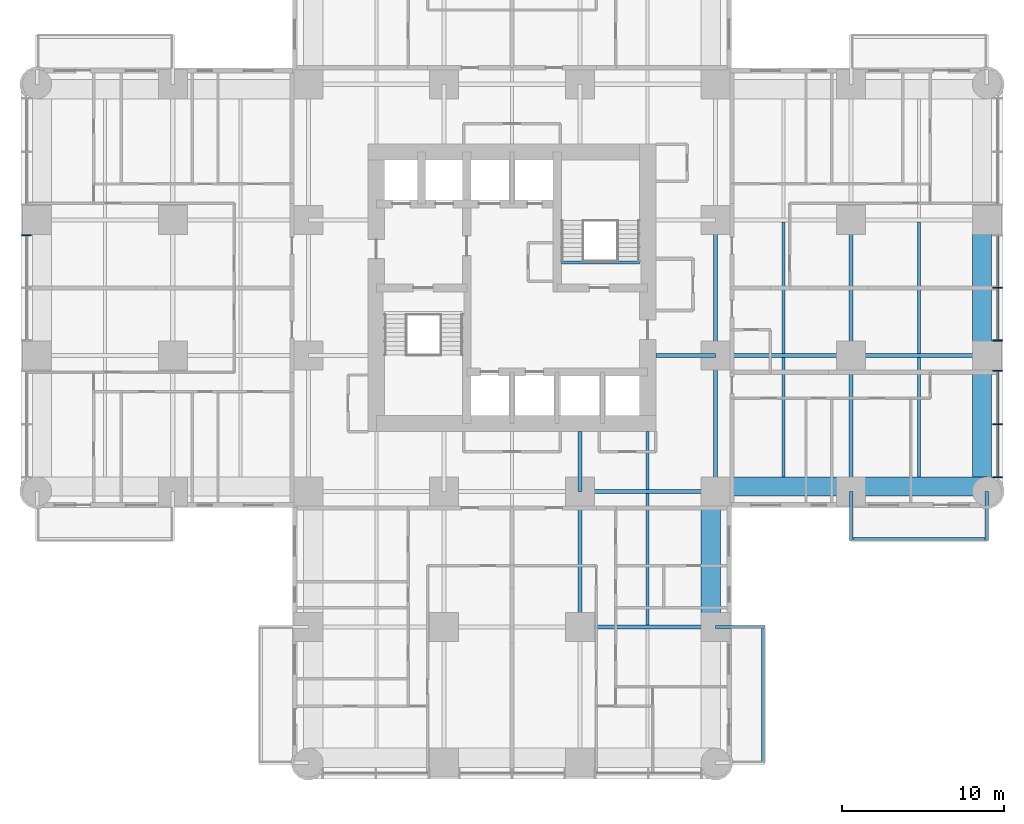
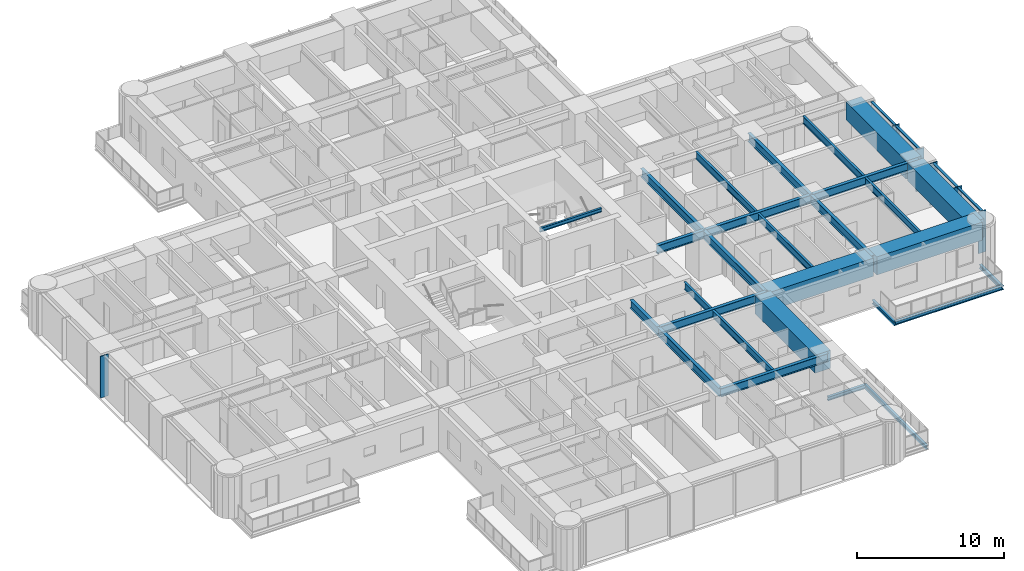
# One storey, part 3 of 17: 28 beams, 10 members, 2 elements without a shape of their own.
"""IFC4 building model written with IfcOpenShell, lengths in metres."""

from ifc_helpers import new_model, si_unit, direction, frame, origin, origin_2d, place, context, subcontext, project, spatial, rectangle, i_section, extrude, material, material_profile, profile_set, type_object, element, aggregate, save


model = new_model("IFC4")

# Units and contexts
model_context = context("Model", 3, precision=1e-05, world=origin(), true_north=direction((0.0, 1.0)))
body_context = subcontext(model_context, "Body", "Model", "MODEL_VIEW")
ifc_project = project(units=[si_unit("LENGTHUNIT", "METRE"), si_unit("AREAUNIT", "SQUARE_METRE"), si_unit("VOLUMEUNIT", "CUBIC_METRE"), si_unit("PLANEANGLEUNIT", "RADIAN"), si_unit("MASSUNIT", "GRAM", prefix="KILO")], contexts=[model_context])

# Site, building, storey
site_placement = place(None, origin())
site = spatial("IfcSite", under=ifc_project, at=site_placement, CompositionType="ELEMENT")
building_placement = place(site_placement, origin())
building = spatial("IfcBuilding", under=site, at=building_placement, Name="Torre Alcanfor", CompositionType="ELEMENT")
storey_placement = place(building_placement, frame((0.0, 0.0, 52.5)))
storey = spatial("IfcBuildingStorey", under=building, at=storey_placement, Name="L12", CompositionType="ELEMENT", Elevation=52.5)

# Beams
ifc_material_1 = material(Name="Steel ASTM A992 Grade 50", Category="steel")
ifc_material_profile_1 = material_profile(ifc_material_1, i_section(OverallWidth=0.205322265625, OverallDepth=0.309814453125, WebThickness=0.00927734375, FlangeThickness=0.016357421875, at=origin_2d()), Name="W12x50")
ifc_profile_set_1 = profile_set([ifc_material_profile_1], Name="Steel ASTM A992 Grade 50")
beam_type_1 = type_object("IfcBeamType", Name="Balcony cantilever beam W12x50", PredefinedType="BEAM", material=ifc_profile_set_1)
for number, where, z_axis, x_axis, name in (
    (1, (50.39990234375, 16.800048828125, -0.35498046875), (0.0, -1.0, 0.0), (1.0, 0.0, 0.0), "Balcony cantilever beam L12-E2 1"),
    (2, (58.800048828125, 16.800048828125, -0.35498046875), (0.0, -1.0, 0.0), (1.0, 0.0, 0.0), "Balcony cantilever beam L12-E2 2"),
    (3, (42.0, 8.39990234375, -0.35498046875), (1.0, 0.0, 0.0), (0.0, 1.0, 0.0), "Balcony cantilever beam L12-S1 1"),
):
    element("IfcBeam", number, at=place(storey_placement, frame(where, z_axis=z_axis, x_axis=x_axis)), inside=storey, type_object=beam_type_1, Name=name, PredefinedType="BEAM", context=body_context, shape_type="SweptSolid", body=[
        extrude(i_section(OverallWidth=0.205322265625, OverallDepth=0.309814453125, WebThickness=0.00927734375, FlangeThickness=0.016357421875, at=origin_2d()), origin(), (0.0, 0.0, 1.0), 3.050048828125),
    ])
ifc_material_2 = material(Name="Steel ASTM A992 Grade 50", Category="steel")
ifc_material_profile_2 = material_profile(ifc_material_2, i_section(OverallWidth=0.203369140625, OverallDepth=0.30224609375, WebThickness=0.007568359375, FlangeThickness=0.01318359375, at=origin_2d()), Name="W12x40")
ifc_profile_set_2 = profile_set([ifc_material_profile_2], Name="Steel ASTM A992 Grade 50")
beam_type_2 = type_object("IfcBeamType", Name="Balcony edge trimmer W12x40", PredefinedType="BEAM", material=ifc_profile_set_2)
beam_1_placement = place(storey_placement, frame((50.39990234375, 13.851806640625, -0.35107421875), z_axis=(1.0, 0.0, 0.0), x_axis=(0.0, 1.0, 0.0)))
element("IfcBeam", 4, at=beam_1_placement, inside=storey, type_object=beam_type_2, Name="Balcony edge trimmer L12-E2", PredefinedType="BEAM", context=body_context, shape_type="SweptSolid", body=[
    extrude(i_section(OverallWidth=0.203369140625, OverallDepth=0.30224609375, WebThickness=0.007568359375, FlangeThickness=0.01318359375, at=origin_2d()), origin(), (0.0, 0.0, 1.0), 8.400146484375),
])
beam_2_placement = place(storey_placement, frame((44.9482421875, 8.39990234375, -0.35107421875), z_axis=(0.0, -1.0, 0.0), x_axis=(1.0, 0.0, 0.0)))
element("IfcBeam", 5, at=beam_2_placement, inside=storey, type_object=beam_type_2, Name="Balcony edge trimmer L12-S1", PredefinedType="BEAM", context=body_context, shape_type="SweptSolid", body=[
    extrude(i_section(OverallWidth=0.203369140625, OverallDepth=0.30224609375, WebThickness=0.007568359375, FlangeThickness=0.01318359375, at=origin_2d()), origin(), (0.0, 0.0, 1.0), 8.39990234375),
])

# Curtain wall, member
ifc_material_3 = material(Name="Aluminium and glass", Category="aluminium")
curtain_wall_type = type_object("IfcCurtainWallType", Name="CW-A unitised apartment glazing with vertical FIN", PredefinedType="NOTDEFINED", material=ifc_material_3)
curtain_wall_1_placement = place(storey_placement, origin())
curtain_wall_1 = element("IfcCurtainWall", 6, at=curtain_wall_1_placement, inside=storey, type_object=curtain_wall_type, Name="Curtain wall CW-A L12 2", PredefinedType="NOTDEFINED")
ifc_material_4 = material(Name="Bronze anodised aluminium", Category="aluminium")
ifc_material_profile_3 = material_profile(ifc_material_4, rectangle(XDim=0.60009765625, YDim=0.06494140625, at=origin_2d()), Name="CW-A mullion 65x600")
ifc_profile_set_3 = profile_set([ifc_material_profile_3], Name="Bronze anodised aluminium")
member_type_1 = type_object("IfcMemberType", Name="CW-A mullion with vertical FIN 65x600", PredefinedType="MULLION", material=ifc_profile_set_3)
member_1_placement = place(storey_placement, frame((-0.64990234375, 32.66259765625, 0.0), z_axis=(0.0, 0.0, 1.0), x_axis=(1.0, 0.0, 0.0)))
member_1 = element("IfcMember", 7, at=member_1_placement, type_object=member_type_1, Name="CW-A mullion 2.1", PredefinedType="MULLION", context=body_context, shape_type="SweptSolid", body=[
    extrude(rectangle(XDim=0.60009765625, YDim=0.06494140625, at=origin_2d()), origin(), (0.0, 0.0, 1.0), 3.449951171875),
])
aggregate(curtain_wall_1, [member_1])

# Curtain wall, members
curtain_wall_2_placement = place(storey_placement, origin())
curtain_wall_2 = element("IfcCurtainWall", 8, at=curtain_wall_2_placement, inside=storey, type_object=curtain_wall_type, Name="Curtain wall CW-A L12 8", PredefinedType="NOTDEFINED")
member_2_placement = place(storey_placement, frame((59.449951171875, 17.6669921875, 0.0), z_axis=(0.0, 0.0, 1.0), x_axis=(-1.0, 0.0, 0.0)))
member_2 = element("IfcMember", 9, at=member_2_placement, type_object=member_type_1, Name="CW-A mullion 1.1", PredefinedType="MULLION", context=body_context, shape_type="SweptSolid", body=[
    extrude(rectangle(XDim=0.60009765625, YDim=0.06494140625, at=origin_2d()), origin(), (0.0, 0.0, 1.0), 3.449951171875),
])
member_3_placement = place(storey_placement, frame((59.449951171875, 20.96484375, 0.0), z_axis=(0.0, 0.0, 1.0), x_axis=(-1.0, 0.0, 0.0)))
member_3 = element("IfcMember", 10, at=member_3_placement, type_object=member_type_1, Name="CW-A mullion 1.2", PredefinedType="MULLION", context=body_context, shape_type="SweptSolid", body=[
    extrude(rectangle(XDim=0.60009765625, YDim=0.06494140625, at=origin_2d()), origin(), (0.0, 0.0, 1.0), 3.449951171875),
])
member_4_placement = place(storey_placement, frame((59.449951171875, 24.262451171875, 0.0), z_axis=(0.0, 0.0, 1.0), x_axis=(-1.0, 0.0, 0.0)))
member_4 = element("IfcMember", 11, at=member_4_placement, type_object=member_type_1, Name="CW-A mullion 1.3", PredefinedType="MULLION", context=body_context, shape_type="SweptSolid", body=[
    extrude(rectangle(XDim=0.60009765625, YDim=0.06494140625, at=origin_2d()), origin(), (0.0, 0.0, 1.0), 3.449951171875),
])
member_5_placement = place(storey_placement, frame((59.449951171875, 26.137451171875, 0.0), z_axis=(0.0, 0.0, 1.0), x_axis=(-1.0, 0.0, 0.0)))
member_5 = element("IfcMember", 12, at=member_5_placement, type_object=member_type_1, Name="CW-A mullion 2.1", PredefinedType="MULLION", context=body_context, shape_type="SweptSolid", body=[
    extrude(rectangle(XDim=0.60009765625, YDim=0.06494140625, at=origin_2d()), origin(), (0.0, 0.0, 1.0), 3.449951171875),
])
member_6_placement = place(storey_placement, frame((59.449951171875, 29.39990234375, 0.0), z_axis=(0.0, 0.0, 1.0), x_axis=(-1.0, 0.0, 0.0)))
member_6 = element("IfcMember", 13, at=member_6_placement, type_object=member_type_1, Name="CW-A mullion 2.2", PredefinedType="MULLION", context=body_context, shape_type="SweptSolid", body=[
    extrude(rectangle(XDim=0.60009765625, YDim=0.06494140625, at=origin_2d()), origin(), (0.0, 0.0, 1.0), 3.449951171875),
])
ifc_material_5 = material(Name="Extruded aluminium", Category="aluminium")
ifc_material_profile_4 = material_profile(ifc_material_5, rectangle(XDim=0.199951171875, YDim=0.06494140625, at=origin_2d()), Name="CW-A transom 200x65")
ifc_profile_set_4 = profile_set([ifc_material_profile_4], Name="Extruded aluminium")
member_type_2 = type_object("IfcMemberType", Name="CW-A transom 65x200", PredefinedType="USERDEFINED", material=ifc_profile_set_4)
member_7_placement = place(storey_placement, frame((59.449951171875, 17.699462890625, 3.41748046875), z_axis=(0.0, 1.0, 0.0), x_axis=(-1.0, 0.0, 0.0)))
member_7 = element("IfcMember", 14, at=member_7_placement, type_object=member_type_2, Name="CW-A transom 1.1.2", ObjectType="TRANSOM", PredefinedType="USERDEFINED", context=body_context, shape_type="SweptSolid", body=[
    extrude(rectangle(XDim=0.199951171875, YDim=0.06494140625, at=origin_2d()), origin(), (0.0, 0.0, 1.0), 3.232666015625),
])
member_8_placement = place(storey_placement, frame((59.449951171875, 20.997314453125, 3.41748046875), z_axis=(0.0, 1.0, 0.0), x_axis=(-1.0, 0.0, 0.0)))
member_8 = element("IfcMember", 15, at=member_8_placement, type_object=member_type_2, Name="CW-A transom 1.2.2", ObjectType="TRANSOM", PredefinedType="USERDEFINED", context=body_context, shape_type="SweptSolid", body=[
    extrude(rectangle(XDim=0.199951171875, YDim=0.06494140625, at=origin_2d()), origin(), (0.0, 0.0, 1.0), 3.232666015625),
])
member_9_placement = place(storey_placement, frame((59.449951171875, 26.169921875, 3.41748046875), z_axis=(0.0, 1.0, 0.0), x_axis=(-1.0, 0.0, 0.0)))
member_9 = element("IfcMember", 16, at=member_9_placement, type_object=member_type_2, Name="CW-A transom 2.1.2", ObjectType="TRANSOM", PredefinedType="USERDEFINED", context=body_context, shape_type="SweptSolid", body=[
    extrude(rectangle(XDim=0.199951171875, YDim=0.06494140625, at=origin_2d()), origin(), (0.0, 0.0, 1.0), 3.197509765625),
])
member_10_placement = place(storey_placement, frame((59.449951171875, 29.4326171875, 3.41748046875), z_axis=(0.0, 1.0, 0.0), x_axis=(-1.0, 0.0, 0.0)))
member_10 = element("IfcMember", 17, at=member_10_placement, type_object=member_type_2, Name="CW-A transom 2.2.2", ObjectType="TRANSOM", PredefinedType="USERDEFINED", context=body_context, shape_type="SweptSolid", body=[
    extrude(rectangle(XDim=0.199951171875, YDim=0.06494140625, at=origin_2d()), origin(), (0.0, 0.0, 1.0), 3.197265625),
])
aggregate(curtain_wall_2, [member_2, member_3, member_4, member_7, member_8, member_5, member_6, member_9, member_10])

# Beams
ifc_material_6 = material(Name="Steel ASTM A992 Grade 50", Category="steel")
ifc_material_profile_5 = material_profile(ifc_material_6, i_section(OverallWidth=0.25390625, OverallDepth=0.683349609375, WebThickness=0.012451171875, FlangeThickness=0.01904296875, at=origin_2d()), Name="W27x94")
ifc_profile_set_5 = profile_set([ifc_material_profile_5], Name="Steel ASTM A992 Grade 50")
beam_type_3 = type_object("IfcBeamType", Name="Girder W27x94", PredefinedType="BEAM", material=ifc_profile_set_5)
for number, where, z_axis, x_axis, name in (
    (18, (33.60009765625, 8.39990234375, 3.1083984375), (1.0, 0.0, 0.0), (0.0, 1.0, 0.0), "Beam 5D-6D under L13"),
    (19, (33.60009765625, 16.800048828125, 3.1083984375), (1.0, 0.0, 0.0), (0.0, 1.0, 0.0), "Beam 5E-6E under L13"),
    (20, (42.0, 25.199951171875, 3.1083984375), (1.0, 0.0, 0.0), (0.0, 1.0, 0.0), "Beam 6F-7F under L13"),
):
    element("IfcBeam", number, at=place(storey_placement, frame(where, z_axis=z_axis, x_axis=x_axis)), inside=storey, type_object=beam_type_3, Name=name, PredefinedType="BEAM", context=body_context, shape_type="SweptSolid", body=[
        extrude(i_section(OverallWidth=0.25390625, OverallDepth=0.683349609375, WebThickness=0.012451171875, FlangeThickness=0.01904296875, at=origin_2d()), origin(), (0.0, 0.0, 1.0), 8.39990234375),
    ])
for number, where, z_axis, x_axis, name in (
    (21, (50.39990234375, 25.199951171875, 3.1083984375), (1.0, 0.0, 0.0), (0.0, 1.0, 0.0), "Beam 7F-8F under L13"),
    (22, (33.60009765625, 8.39990234375, 3.1083984375), (0.0, 1.0, 0.0), (-1.0, 0.0, 0.0), "Beam 5D-5E under L13"),
):
    element("IfcBeam", number, at=place(storey_placement, frame(where, z_axis=z_axis, x_axis=x_axis)), inside=storey, type_object=beam_type_3, Name=name, PredefinedType="BEAM", context=body_context, shape_type="SweptSolid", body=[
        extrude(i_section(OverallWidth=0.25390625, OverallDepth=0.683349609375, WebThickness=0.012451171875, FlangeThickness=0.01904296875, at=origin_2d()), origin(), (0.0, 0.0, 1.0), 8.400146484375),
    ])
beam_3_placement = place(storey_placement, frame((42.0, 16.800048828125, 3.1083984375), z_axis=(0.0, 1.0, 0.0), x_axis=(-1.0, 0.0, 0.0)))
element("IfcBeam", 23, at=beam_3_placement, inside=storey, type_object=beam_type_3, Name="Beam 6E-6F under L13", PredefinedType="BEAM", context=body_context, shape_type="SweptSolid", body=[
    extrude(i_section(OverallWidth=0.25390625, OverallDepth=0.683349609375, WebThickness=0.012451171875, FlangeThickness=0.01904296875, at=origin_2d()), origin(), (0.0, 0.0, 1.0), 8.39990234375),
])
beam_4_placement = place(storey_placement, frame((42.0, 25.199951171875, 3.1083984375), z_axis=(0.0, 1.0, 0.0), x_axis=(-1.0, 0.0, 0.0)))
element("IfcBeam", 24, at=beam_4_placement, inside=storey, type_object=beam_type_3, Name="Beam 6F-6G under L13", PredefinedType="BEAM", context=body_context, shape_type="SweptSolid", body=[
    extrude(i_section(OverallWidth=0.25390625, OverallDepth=0.683349609375, WebThickness=0.012451171875, FlangeThickness=0.01904296875, at=origin_2d()), origin(), (0.0, 0.0, 1.0), 8.400146484375),
])
beam_5_placement = place(storey_placement, frame((50.39990234375, 16.800048828125, 3.1083984375), z_axis=(0.0, 1.0, 0.0), x_axis=(-1.0, 0.0, 0.0)))
element("IfcBeam", 25, at=beam_5_placement, inside=storey, type_object=beam_type_3, Name="Beam 7E-7F under L13", PredefinedType="BEAM", context=body_context, shape_type="SweptSolid", body=[
    extrude(i_section(OverallWidth=0.25390625, OverallDepth=0.683349609375, WebThickness=0.012451171875, FlangeThickness=0.01904296875, at=origin_2d()), origin(), (0.0, 0.0, 1.0), 8.39990234375),
])
beam_6_placement = place(storey_placement, frame((50.39990234375, 25.199951171875, 3.1083984375), z_axis=(0.0, 1.0, 0.0), x_axis=(-1.0, 0.0, 0.0)))
element("IfcBeam", 26, at=beam_6_placement, inside=storey, type_object=beam_type_3, Name="Beam 7F-7G under L13", PredefinedType="BEAM", context=body_context, shape_type="SweptSolid", body=[
    extrude(i_section(OverallWidth=0.25390625, OverallDepth=0.683349609375, WebThickness=0.012451171875, FlangeThickness=0.01904296875, at=origin_2d()), origin(), (0.0, 0.0, 1.0), 8.400146484375),
])
ifc_material_7 = material(Name="Steel ASTM A992 Grade 50", Category="steel")
ifc_material_profile_6 = material_profile(ifc_material_7, i_section(OverallWidth=0.25390625, OverallDepth=0.683349609375, WebThickness=0.012451171875, FlangeThickness=0.01904296875, at=origin_2d()), Name="W27x94")
ifc_profile_set_6 = profile_set([ifc_material_profile_6], Name="Steel ASTM A992 Grade 50")
beam_type_4 = type_object("IfcBeamType", Name="Girder, part bay W27x94", PredefinedType="BEAM", material=ifc_profile_set_6)
for number, where, z_axis, x_axis, name in (
    (27, (33.60009765625, 16.800048828125, 3.1083984375), (0.0, 1.0, 0.0), (-1.0, 0.0, 0.0), "Beam 5E-520_5 under L13"),
    (28, (42.0, 25.199951171875, 3.1083984375), (-1.0, 0.0, 0.0), (0.0, -1.0, 0.0), "Beam 6F-38_3F under L13"),
):
    element("IfcBeam", number, at=place(storey_placement, frame(where, z_axis=z_axis, x_axis=x_axis)), inside=storey, type_object=beam_type_4, Name=name, PredefinedType="BEAM", context=body_context, shape_type="SweptSolid", body=[
        extrude(i_section(OverallWidth=0.25390625, OverallDepth=0.683349609375, WebThickness=0.012451171875, FlangeThickness=0.01904296875, at=origin_2d()), origin(), (0.0, 0.0, 1.0), 3.699951171875),
    ])
ifc_material_8 = material(Name="Concrete f'c 70 MPa", Category="concrete")
ifc_material_profile_7 = material_profile(ifc_material_8, rectangle(XDim=1.199951171875, YDim=1.5, at=origin_2d()), Name="1200x1500")
ifc_profile_set_7 = profile_set([ifc_material_profile_7], Name="Concrete f'c 70 MPa")
beam_type_5 = type_object("IfcBeamType", Name="RC perimeter beam 1200x1500", PredefinedType="BEAM", material=ifc_profile_set_7)
beam_7_placement = place(storey_placement, frame((42.126953125, 17.10009765625, 2.699951171875), z_axis=(1.0, 0.0, 0.0), x_axis=(0.0, 1.0, 0.0)))
element("IfcBeam", 29, at=beam_7_placement, inside=storey, type_object=beam_type_5, Name="Beam 6E-7E under L13", PredefinedType="BEAM", context=body_context, shape_type="SweptSolid", body=[
    extrude(rectangle(XDim=1.199951171875, YDim=1.5, at=origin_2d()), origin(), (0.0, 0.0, 1.0), 8.14599609375),
])
beam_8_placement = place(storey_placement, frame((50.527099609375, 17.10009765625, 2.699951171875), z_axis=(1.0, 0.0, 0.0), x_axis=(0.0, 1.0, 0.0)))
element("IfcBeam", 30, at=beam_8_placement, inside=storey, type_object=beam_type_5, Name="Beam 7E-8E under L13", PredefinedType="BEAM", context=body_context, shape_type="SweptSolid", body=[
    extrude(rectangle(XDim=1.199951171875, YDim=1.5, at=origin_2d()), origin(), (0.0, 0.0, 1.0), 8.27294921875),
])
beam_9_placement = place(storey_placement, frame((41.699951171875, 8.527099609375, 2.699951171875), z_axis=(0.0, 1.0, 0.0), x_axis=(-1.0, 0.0, 0.0)))
element("IfcBeam", 31, at=beam_9_placement, inside=storey, type_object=beam_type_5, Name="Beam 6D-6E under L13", PredefinedType="BEAM", context=body_context, shape_type="SweptSolid", body=[
    extrude(rectangle(XDim=1.199951171875, YDim=1.5, at=origin_2d()), origin(), (0.0, 0.0, 1.0), 8.14599609375),
])
beam_10_placement = place(storey_placement, frame((58.5, 16.800048828125, 2.699951171875), z_axis=(0.0, 1.0, 0.0), x_axis=(-1.0, 0.0, 0.0)))
element("IfcBeam", 32, at=beam_10_placement, inside=storey, type_object=beam_type_5, Name="Beam 8E-8F under L13", PredefinedType="BEAM", context=body_context, shape_type="SweptSolid", body=[
    extrude(rectangle(XDim=1.199951171875, YDim=1.5, at=origin_2d()), origin(), (0.0, 0.0, 1.0), 8.27294921875),
])
beam_11_placement = place(storey_placement, frame((58.5, 25.326904296875, 2.699951171875), z_axis=(0.0, 1.0, 0.0), x_axis=(-1.0, 0.0, 0.0)))
element("IfcBeam", 33, at=beam_11_placement, inside=storey, type_object=beam_type_5, Name="Beam 8F-8G under L13", PredefinedType="BEAM", context=body_context, shape_type="SweptSolid", body=[
    extrude(rectangle(XDim=1.199951171875, YDim=1.5, at=origin_2d()), origin(), (0.0, 0.0, 1.0), 8.14599609375),
])
ifc_material_9 = material(Name="Steel ASTM A992 Grade 50", Category="steel")
ifc_material_profile_8 = material_profile(ifc_material_9, i_section(OverallWidth=0.1787109375, OverallDepth=0.60205078125, WebThickness=0.010986328125, FlangeThickness=0.014892578125, at=origin_2d()), Name="W24x62")
ifc_profile_set_8 = profile_set([ifc_material_profile_8], Name="Steel ASTM A992 Grade 50")
beam_type_6 = type_object("IfcBeamType", Name="Secondary beam W24x62", PredefinedType="BEAM", material=ifc_profile_set_8)
beam_12_placement = place(storey_placement, frame((37.800048828125, 8.527099609375, 3.14892578125), z_axis=(0.0, 1.0, 0.0), x_axis=(-1.0, 0.0, 0.0)))
element("IfcBeam", 34, at=beam_12_placement, inside=storey, type_object=beam_type_6, Name="Beam 37_8D-37_8E under L13", PredefinedType="BEAM", context=body_context, shape_type="SweptSolid", body=[
    extrude(i_section(OverallWidth=0.1787109375, OverallDepth=0.60205078125, WebThickness=0.010986328125, FlangeThickness=0.014892578125, at=origin_2d()), origin(), (0.0, 0.0, 1.0), 8.14599609375),
])
beam_13_placement = place(storey_placement, frame((46.199951171875, 17.699951171875, 3.14892578125), z_axis=(0.0, 1.0, 0.0), x_axis=(-1.0, 0.0, 0.0)))
element("IfcBeam", 35, at=beam_13_placement, inside=storey, type_object=beam_type_6, Name="Beam 46_2E-46_2F under L13", PredefinedType="BEAM", context=body_context, shape_type="SweptSolid", body=[
    extrude(i_section(OverallWidth=0.1787109375, OverallDepth=0.60205078125, WebThickness=0.010986328125, FlangeThickness=0.014892578125, at=origin_2d()), origin(), (0.0, 0.0, 1.0), 7.373046875),
])
beam_14_placement = place(storey_placement, frame((46.199951171875, 25.326904296875, 3.14892578125), z_axis=(0.0, 1.0, 0.0), x_axis=(-1.0, 0.0, 0.0)))
element("IfcBeam", 36, at=beam_14_placement, inside=storey, type_object=beam_type_6, Name="Beam 46_2F-46_2G under L13", PredefinedType="BEAM", context=body_context, shape_type="SweptSolid", body=[
    extrude(i_section(OverallWidth=0.1787109375, OverallDepth=0.60205078125, WebThickness=0.010986328125, FlangeThickness=0.014892578125, at=origin_2d()), origin(), (0.0, 0.0, 1.0), 8.14599609375),
])
beam_15_placement = place(storey_placement, frame((54.60009765625, 17.699951171875, 3.14892578125), z_axis=(0.0, 1.0, 0.0), x_axis=(-1.0, 0.0, 0.0)))
element("IfcBeam", 37, at=beam_15_placement, inside=storey, type_object=beam_type_6, Name="Beam 54_6E-54_6F under L13", PredefinedType="BEAM", context=body_context, shape_type="SweptSolid", body=[
    extrude(i_section(OverallWidth=0.1787109375, OverallDepth=0.60205078125, WebThickness=0.010986328125, FlangeThickness=0.014892578125, at=origin_2d()), origin(), (0.0, 0.0, 1.0), 7.373046875),
])
beam_16_placement = place(storey_placement, frame((54.60009765625, 25.326904296875, 3.14892578125), z_axis=(0.0, 1.0, 0.0), x_axis=(-1.0, 0.0, 0.0)))
element("IfcBeam", 38, at=beam_16_placement, inside=storey, type_object=beam_type_6, Name="Beam 54_6F-54_6G under L13", PredefinedType="BEAM", context=body_context, shape_type="SweptSolid", body=[
    extrude(i_section(OverallWidth=0.1787109375, OverallDepth=0.60205078125, WebThickness=0.010986328125, FlangeThickness=0.014892578125, at=origin_2d()), origin(), (0.0, 0.0, 1.0), 8.14599609375),
])
ifc_material_10 = material(Name="Steel ASTM A992 Grade 50", Category="steel")
ifc_material_profile_9 = material_profile(ifc_material_10, i_section(OverallWidth=0.1787109375, OverallDepth=0.60205078125, WebThickness=0.010986328125, FlangeThickness=0.014892578125, at=origin_2d()), Name="W24x62")
ifc_profile_set_9 = profile_set([ifc_material_profile_9], Name="Steel ASTM A992 Grade 50")
beam_type_7 = type_object("IfcBeamType", Name="Secondary beam, part bay W24x62", PredefinedType="BEAM", material=ifc_profile_set_9)
beam_17_placement = place(storey_placement, frame((37.800048828125, 16.927001953125, 3.14892578125), z_axis=(0.0, 1.0, 0.0), x_axis=(-1.0, 0.0, 0.0)))
element("IfcBeam", 39, at=beam_17_placement, inside=storey, type_object=beam_type_7, Name="Beam 37_8E-37_820_5 under L13", PredefinedType="BEAM", context=body_context, shape_type="SweptSolid", body=[
    extrude(i_section(OverallWidth=0.1787109375, OverallDepth=0.60205078125, WebThickness=0.010986328125, FlangeThickness=0.014892578125, at=origin_2d()), origin(), (0.0, 0.0, 1.0), 3.572998046875),
])
ifc_material_11 = material(Name="Steel ASTM A992 Grade 50", Category="steel")
ifc_material_profile_10 = material_profile(ifc_material_11, i_section(OverallWidth=0.164794921875, OverallDepth=0.309814453125, WebThickness=0.005859375, FlangeThickness=0.009765625, at=origin_2d()), Name="W12x26")
ifc_profile_set_10 = profile_set([ifc_material_profile_10], Name="Steel ASTM A992 Grade 50")
beam_type_8 = type_object("IfcBeamType", Name="Stair landing beam W12x26", PredefinedType="BEAM", material=ifc_profile_set_10)
beam_18_placement = place(storey_placement, frame((32.449951171875, 30.962646484375, 3.2451171875), z_axis=(1.0, 0.0, 0.0), x_axis=(0.0, 1.0, 0.0)))
element("IfcBeam", 40, at=beam_18_placement, inside=storey, type_object=beam_type_8, Name="Landing trimmer S2 L13", PredefinedType="BEAM", context=body_context, shape_type="SweptSolid", body=[
    extrude(i_section(OverallWidth=0.164794921875, OverallDepth=0.309814453125, WebThickness=0.005859375, FlangeThickness=0.009765625, at=origin_2d()), origin(), (0.0, 0.0, 1.0), 4.85009765625),
])

save(model, "model.ifc")
